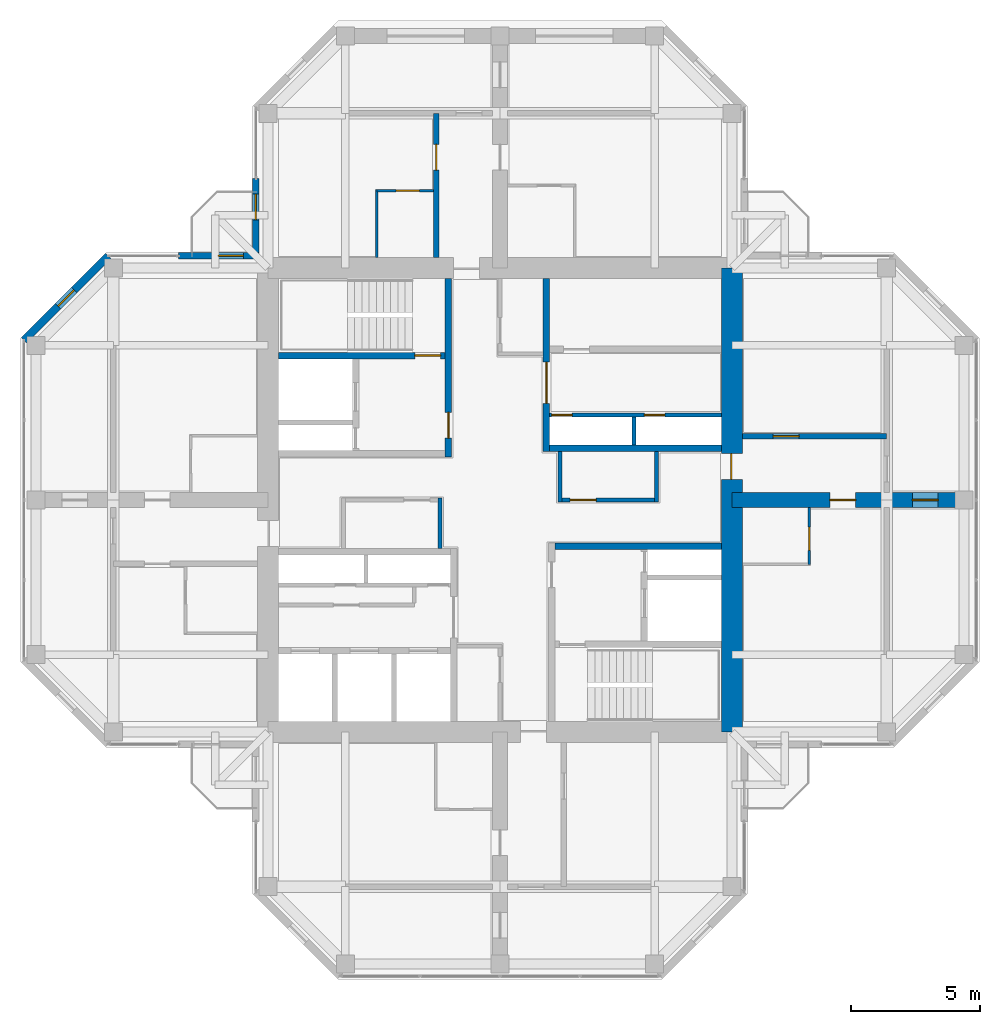
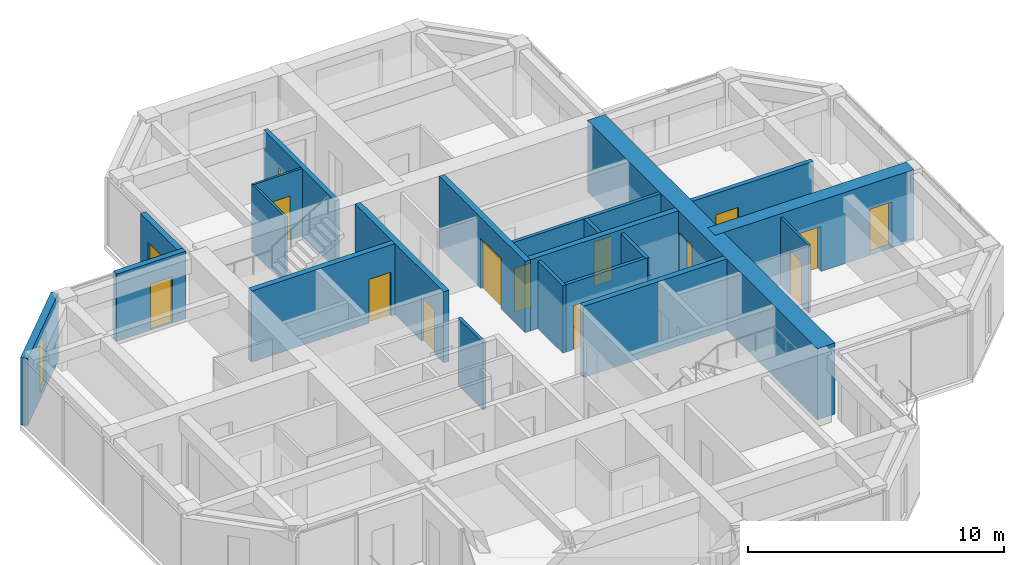
# One storey, part 10 of 13: 21 walls, 15 doors, 1 window, 16 openings.
"""IFC4 building model written with IfcOpenShell, lengths in metres."""

from ifc_helpers import new_model, si_unit, direction, frame, frame_2d, origin, place, context, subcontext, project, spatial, rectangle, hollow_rectangle, extrude, material, layer, layer_set, constituent, constituent_set, type_object, element, fill, save


model = new_model("IFC4")

# Units and contexts
model_context = context("Model", 3, precision=1e-05, world=origin(), true_north=direction((0.0, 1.0)))
body_context = subcontext(model_context, "Body", "Model", "MODEL_VIEW")
ifc_project = project(units=[si_unit("LENGTHUNIT", "METRE"), si_unit("AREAUNIT", "SQUARE_METRE"), si_unit("VOLUMEUNIT", "CUBIC_METRE"), si_unit("PLANEANGLEUNIT", "RADIAN"), si_unit("MASSUNIT", "GRAM", prefix="KILO")], contexts=[model_context])

# Site, building, storey
site_placement = place(None, origin())
site = spatial("IfcSite", under=ifc_project, at=site_placement, CompositionType="ELEMENT")
building_placement = place(site_placement, origin())
building = spatial("IfcBuilding", under=site, at=building_placement, Name="Torre Cruceta", CompositionType="ELEMENT")
storey_placement = place(building_placement, frame((0.0, 0.0, 274.699951171875)))
storey = spatial("IfcBuildingStorey", under=building, at=storey_placement, Name="L71", CompositionType="ELEMENT", Elevation=274.699951171875)

# Wall
ifc_material_1 = material(Name="Water-resistant plasterboard on steel studs", Category="steel")
ifc_layer_1 = layer(ifc_material_1, 0.10009765625)
ifc_layer_set_1 = layer_set([ifc_layer_1], Name="Water-resistant plasterboard on steel studs")
wall_type_1 = type_object("IfcWallType", Name="BATHROOM WALL 100", PredefinedType="PARTITIONING", material=ifc_layer_set_1)
wall_1_placement = place(storey_placement, frame((-4.77490234375, 9.39990234375, 0.0), z_axis=(0.0, 0.0, 1.0), x_axis=(0.0, 1.0, 0.0)))
element("IfcWall", 1, at=wall_1_placement, inside=storey, type_object=wall_type_1, Name="PT4 L71-N-U1LBB", PredefinedType="PARTITIONING", context=body_context, shape_type="SweptSolid", body=[
    extrude(rectangle(XDim=2.650146484375, YDim=0.10009765625, at=frame_2d((1.3251953125, 0.0))), origin(), (0.0, 0.0, 1.0), 3.219970703125),
])

# Wall, opening, door
wall_2_placement = place(storey_placement, frame((-2.574951171875, 12.0, 0.0), z_axis=(0.0, 0.0, 1.0), x_axis=(-1.0, 0.0, 0.0)))
wall_2 = element("IfcWall", 2, at=wall_2_placement, inside=storey, type_object=wall_type_1, Name="PT4 L71-N-U1LBS", PredefinedType="PARTITIONING", context=body_context, shape_type="SweptSolid", body=[
    extrude(rectangle(XDim=2.199951171875, YDim=0.10009765625, at=frame_2d((1.10009765625, 0.0))), origin(), (0.0, 0.0, 1.0), 3.219970703125),
])
opening_1_placement = place(wall_2_placement, frame((0.550048828125, 0.0, 0.0)))
opening_1 = element("IfcOpeningElement", 3, at=opening_1_placement, cuts=wall_2, Name="Opening D7", PredefinedType="OPENING", context=body_context, shape_type="SweptSolid", body=[
    extrude(rectangle(XDim=0.89990234375, YDim=2.10009765625, at=frame_2d((0.449951171875, 1.050048828125))), frame((0.0, 0.06005859375, 0.0), z_axis=(0.0, -1.0, 0.0), x_axis=(1.0, 0.0, 0.0)), (0.0, 0.0, 1.0), 0.1201171875),
])
ifc_material_2 = material(Name="Timber door", Category="wood")
door_type_1 = type_object("IfcDoorType", Name="BATHROOM DOOR 900X2100", OperationType="SINGLE_SWING_LEFT", PredefinedType="DOOR", material=ifc_material_2)
door_1_placement = place(opening_1_placement, origin())
door_1 = element("IfcDoor", 4, at=door_1_placement, inside=storey, type_object=door_type_1, Name="D7 L71-N-U1LBS-D1", OperationType="SINGLE_SWING_LEFT", OverallHeight=2.10009765625, OverallWidth=0.89990234375, PredefinedType="DOOR", context=body_context, shape_type="SweptSolid", body=[
    extrude(rectangle(XDim=0.89990234375, YDim=2.10009765625, at=frame_2d((0.449951171875, 1.050048828125))), frame((0.0, 0.02490234375, 0.0), z_axis=(0.0, -1.0, 0.0), x_axis=(1.0, 0.0, 0.0)), (0.0, 0.0, 1.0), 0.050048828125),
])
fill(opening_1, door_1)

wall_3_placement = place(storey_placement, frame((12.0, -2.5, 0.0), z_axis=(0.0, 0.0, 1.0), x_axis=(0.0, 1.0, 0.0)))
wall_3 = element("IfcWall", 5, at=wall_3_placement, inside=storey, type_object=wall_type_1, Name="PT4 L71-E-U1RBS", PredefinedType="PARTITIONING", context=body_context, shape_type="SweptSolid", body=[
    extrude(rectangle(XDim=2.199951171875, YDim=0.10009765625, at=frame_2d((1.10009765625, 0.0))), origin(), (0.0, 0.0, 1.0), 3.219970703125),
])
opening_2_placement = place(wall_3_placement, frame((0.550048828125, 0.0, 0.0)))
opening_2 = element("IfcOpeningElement", 6, at=opening_2_placement, cuts=wall_3, Name="Opening D7", PredefinedType="OPENING", context=body_context, shape_type="SweptSolid", body=[
    extrude(rectangle(XDim=0.89990234375, YDim=2.10009765625, at=frame_2d((0.449951171875, 1.050048828125))), frame((0.0, 0.06005859375, 0.0), z_axis=(0.0, -1.0, 0.0), x_axis=(1.0, 0.0, 0.0)), (0.0, 0.0, 1.0), 0.1201171875),
])
door_2_placement = place(opening_2_placement, origin())
door_2 = element("IfcDoor", 7, at=door_2_placement, inside=storey, type_object=door_type_1, Name="D7 L71-E-U1RBS-D1", OperationType="SINGLE_SWING_LEFT", OverallHeight=2.10009765625, OverallWidth=0.89990234375, PredefinedType="DOOR", context=body_context, shape_type="SweptSolid", body=[
    extrude(rectangle(XDim=0.89990234375, YDim=2.10009765625, at=frame_2d((0.449951171875, 1.050048828125))), frame((0.0, 0.02490234375, 0.0), z_axis=(0.0, -1.0, 0.0), x_axis=(1.0, 0.0, 0.0)), (0.0, 0.0, 1.0), 0.050048828125),
])
fill(opening_2, door_2)

ifc_material_3 = material(Name="Concrete G60 (fck 60 MPa)", Category="concrete")
ifc_layer_2 = layer(ifc_material_3, 0.25)
ifc_layer_set_2 = layer_set([ifc_layer_2], Name="Concrete G60 (fck 60 MPa)")
wall_type_2 = type_object("IfcWallType", Name="CORE INNER WALL 250 G60", PredefinedType="SHEAR", material=ifc_layer_set_2)
wall_4_placement = place(storey_placement, frame((1.800048828125, 1.875, 0.0), z_axis=(0.0, 0.0, 1.0), x_axis=(0.0, 1.0, 0.0)))
wall_4 = element("IfcWall", 8, at=wall_4_placement, inside=storey, type_object=wall_type_2, Name="CW4 L71 NE-CU", PredefinedType="SHEAR", context=body_context, shape_type="SweptSolid", body=[
    extrude(rectangle(XDim=6.72509765625, YDim=0.25, at=frame_2d((3.362548828125, 0.0))), origin(), (0.0, 0.0, 1.0), 3.400146484375),
])
opening_3_placement = place(wall_4_placement, frame((1.875, 0.0, 0.0)))
opening_3 = element("IfcOpeningElement", 9, at=opening_3_placement, cuts=wall_4, Name="Opening D15", PredefinedType="OPENING", context=body_context, shape_type="SweptSolid", body=[
    extrude(rectangle(XDim=1.60009765625, YDim=2.39990234375, at=frame_2d((0.800048828125, 1.199951171875))), frame((0.0, 0.135009765625, 0.0), z_axis=(0.0, -1.0, 0.0), x_axis=(1.0, 0.0, 0.0)), (0.0, 0.0, 1.0), 0.27001953125),
])
ifc_material_4 = material(Name="Steel DX51D", Category="steel")
ifc_constituent_1 = constituent(ifc_material_4, Name="Leaf and frame")
ifc_material_5 = material(Name="Polyester powder coating", Category="paint")
ifc_constituent_2 = constituent(ifc_material_5, Name="Finish")
ifc_constituent_set_1 = constituent_set(constituents=[ifc_constituent_1, ifc_constituent_2], Name="Steel fire door")
door_type_2 = type_object("IfcDoorType", Name="CORE ROOM DOUBLE DOOR 1600X2400", OperationType="DOUBLE_DOOR_SINGLE_SWING", PredefinedType="DOOR", material=ifc_constituent_set_1)
door_3_placement = place(opening_3_placement, frame((1.60009765625, 0.0, 0.0), z_axis=(0.0, 0.0, 1.0), x_axis=(-1.0, 0.0, 0.0)))
door_3 = element("IfcDoor", 10, at=door_3_placement, inside=storey, type_object=door_type_2, Name="D15 L71 NE-LOBBY", OperationType="DOUBLE_DOOR_SINGLE_SWING", OverallHeight=2.39990234375, OverallWidth=1.60009765625, PredefinedType="DOOR", context=body_context, shape_type="SweptSolid", body=[
    extrude(rectangle(XDim=1.60009765625, YDim=2.39990234375, at=frame_2d((0.800048828125, 1.199951171875))), frame((0.0, 0.025146484375, 0.0), z_axis=(0.0, -1.0, 0.0), x_axis=(1.0, 0.0, 0.0)), (0.0, 0.0, 1.0), 0.050048828125),
])
fill(opening_3, door_3)

# Wall
wall_5_placement = place(storey_placement, frame((1.925048828125, 2.0, 0.0), z_axis=(0.0, 0.0, 1.0), x_axis=(1.0, 0.0, 0.0)))
element("IfcWall", 11, at=wall_5_placement, inside=storey, type_object=wall_type_2, Name="CW4 L71 NE-CV", PredefinedType="SHEAR", context=body_context, shape_type="SweptSolid", body=[
    extrude(rectangle(XDim=6.675048828125, YDim=0.25, at=frame_2d((3.33740234375, 0.0))), origin(), (0.0, 0.0, 1.0), 3.400146484375),
])

# Wall, opening, door
wall_6_placement = place(storey_placement, frame((-2.0, 1.675048828125, 0.0), z_axis=(0.0, 0.0, 1.0), x_axis=(0.0, 1.0, 0.0)))
wall_6 = element("IfcWall", 12, at=wall_6_placement, inside=storey, type_object=wall_type_2, Name="CW4 L71 NW-CU", PredefinedType="SHEAR", context=body_context, shape_type="SweptSolid", body=[
    extrude(rectangle(XDim=6.925048828125, YDim=0.25, at=frame_2d((3.46240234375, 0.0))), origin(), (0.0, 0.0, 1.0), 3.400146484375),
])
opening_4_placement = place(wall_6_placement, frame((0.72509765625, 0.0, 0.0)))
opening_4 = element("IfcOpeningElement", 13, at=opening_4_placement, cuts=wall_6, Name="Opening D3", PredefinedType="OPENING", context=body_context, shape_type="SweptSolid", body=[
    extrude(rectangle(XDim=1.0, YDim=2.10009765625, at=frame_2d((0.5, 1.050048828125))), frame((0.0, 0.135009765625, 0.0), z_axis=(0.0, -1.0, 0.0), x_axis=(1.0, 0.0, 0.0)), (0.0, 0.0, 1.0), 0.27001953125),
])
ifc_material_6 = material(Name="Steel DX51D", Category="steel")
ifc_constituent_3 = constituent(ifc_material_6, Name="Leaf and frame")
ifc_material_7 = material(Name="Polyester powder coating", Category="paint")
ifc_constituent_4 = constituent(ifc_material_7, Name="Finish")
ifc_constituent_set_2 = constituent_set(constituents=[ifc_constituent_3, ifc_constituent_4], Name="Steel fire door")
door_type_3 = type_object("IfcDoorType", Name="FIRE DOOR 1000X2100", OperationType="SINGLE_SWING_LEFT", PredefinedType="DOOR", material=ifc_constituent_set_2)
door_4_placement = place(opening_4_placement, origin())
door_4 = element("IfcDoor", 14, at=door_4_placement, inside=storey, type_object=door_type_3, Name="D3 L71 NW-LOBBY", OperationType="SINGLE_SWING_LEFT", OverallHeight=2.10009765625, OverallWidth=1.0, PredefinedType="DOOR", context=body_context, shape_type="SweptSolid", body=[
    extrude(rectangle(XDim=1.0, YDim=2.10009765625, at=frame_2d((0.5, 1.050048828125))), frame((0.0, 0.02490234375, 0.0), z_axis=(0.0, -1.0, 0.0), x_axis=(1.0, 0.0, 0.0)), (0.0, 0.0, 1.0), 0.050048828125),
])
fill(opening_4, door_4)

wall_7_placement = place(storey_placement, frame((-2.125, 5.60009765625, 0.0), z_axis=(0.0, 0.0, 1.0), x_axis=(-1.0, 0.0, 0.0)))
wall_7 = element("IfcWall", 15, at=wall_7_placement, inside=storey, type_object=wall_type_2, Name="CW4 L71 NW-SV", PredefinedType="SHEAR", context=body_context, shape_type="SweptSolid", body=[
    extrude(rectangle(XDim=6.47509765625, YDim=0.25, at=frame_2d((3.237548828125, 0.0))), origin(), (0.0, 0.0, 1.0), 3.400146484375),
])
opening_5_placement = place(wall_7_placement, frame((0.175048828125, 0.0, 0.0)))
opening_5 = element("IfcOpeningElement", 16, at=opening_5_placement, cuts=wall_7, Name="Opening D3", PredefinedType="OPENING", context=body_context, shape_type="SweptSolid", body=[
    extrude(rectangle(XDim=1.0, YDim=2.10009765625, at=frame_2d((0.5, 1.050048828125))), frame((0.0, 0.135009765625, 0.0), z_axis=(0.0, -1.0, 0.0), x_axis=(1.0, 0.0, 0.0)), (0.0, 0.0, 1.0), 0.27001953125),
])
door_5_placement = place(opening_5_placement, frame((1.0, 0.0, 0.0), z_axis=(0.0, 0.0, 1.0), x_axis=(-1.0, 0.0, 0.0)))
door_5 = element("IfcDoor", 17, at=door_5_placement, inside=storey, type_object=door_type_3, Name="D3 L71 NW-STAIR", OperationType="SINGLE_SWING_RIGHT", OverallHeight=2.10009765625, OverallWidth=1.0, PredefinedType="DOOR", context=body_context, shape_type="SweptSolid", body=[
    extrude(rectangle(XDim=1.0, YDim=2.10009765625, at=frame_2d((0.5, 1.050048828125))), frame((0.0, 0.025146484375, 0.0), z_axis=(0.0, -1.0, 0.0), x_axis=(1.0, 0.0, 0.0)), (0.0, 0.0, 1.0), 0.050048828125),
])
fill(opening_5, door_5)

# Wall
wall_8_placement = place(storey_placement, frame((2.125, -1.800048828125, 0.0), z_axis=(0.0, 0.0, 1.0), x_axis=(1.0, 0.0, 0.0)))
element("IfcWall", 18, at=wall_8_placement, inside=storey, type_object=wall_type_2, Name="CW4 L71 SE-CV", PredefinedType="SHEAR", context=body_context, shape_type="SweptSolid", body=[
    extrude(rectangle(XDim=6.47509765625, YDim=0.25, at=frame_2d((3.237548828125, 0.0))), origin(), (0.0, 0.0, 1.0), 3.400146484375),
])

# Wall, opening, door
ifc_material_8 = material(Name="Concrete G60 (fck 60 MPa)", Category="concrete")
ifc_layer_3 = layer(ifc_material_8, 0.800048828125)
ifc_layer_set_3 = layer_set([ifc_layer_3], Name="Concrete G60 (fck 60 MPa)")
wall_type_3 = type_object("IfcWallType", Name="CORE WALL 800 G60", PredefinedType="SHEAR", material=ifc_layer_set_3)
wall_9_placement = place(storey_placement, frame((9.0, -9.0, 0.0), z_axis=(0.0, 0.0, 1.0), x_axis=(0.0, 1.0, 0.0)))
wall_9 = element("IfcWall", 19, at=wall_9_placement, inside=storey, type_object=wall_type_3, Name="CW3 L71 CW-E", PredefinedType="SHEAR", context=body_context, shape_type="SweptSolid", body=[
    extrude(rectangle(XDim=18.0, YDim=0.800048828125, at=frame_2d((9.0, 0.0))), origin(), (0.0, 0.0, 1.0), 3.400146484375),
])
opening_6_placement = place(wall_9_placement, frame((9.800048828125, 0.0, 0.0)))
opening_6 = element("IfcOpeningElement", 20, at=opening_6_placement, cuts=wall_9, Name="Opening D4", PredefinedType="OPENING", context=body_context, shape_type="SweptSolid", body=[
    extrude(rectangle(XDim=1.0, YDim=2.39990234375, at=frame_2d((0.5, 1.199951171875))), frame((0.0, 0.409912109375, 0.0), z_axis=(0.0, -1.0, 0.0), x_axis=(1.0, 0.0, 0.0)), (0.0, 0.0, 1.0), 0.820068359375),
])
ifc_material_9 = material(Name="Steel DX51D", Category="steel")
ifc_constituent_5 = constituent(ifc_material_9, Name="Leaf and frame")
ifc_material_10 = material(Name="Polyester powder coating", Category="paint")
ifc_constituent_6 = constituent(ifc_material_10, Name="Finish")
ifc_constituent_set_3 = constituent_set(constituents=[ifc_constituent_5, ifc_constituent_6], Name="Steel fire door")
door_type_4 = type_object("IfcDoorType", Name="CORE ARM DOOR 1000X2400", OperationType="SINGLE_SWING_RIGHT", PredefinedType="DOOR", material=ifc_constituent_set_3)
door_6_placement = place(opening_6_placement, origin())
door_6 = element("IfcDoor", 21, at=door_6_placement, inside=storey, type_object=door_type_4, Name="D4 L71 CW-E", OperationType="SINGLE_SWING_RIGHT", OverallHeight=2.39990234375, OverallWidth=1.0, PredefinedType="DOOR", context=body_context, shape_type="SweptSolid", body=[
    extrude(rectangle(XDim=1.0, YDim=2.39990234375, at=frame_2d((0.5, 1.199951171875))), frame((0.0, 0.05517578125, 0.0), z_axis=(0.0, -1.0, 0.0), x_axis=(1.0, 0.0, 0.0)), (0.0, 0.0, 1.0), 0.050048828125),
])
fill(opening_6, door_6)

ifc_material_11 = material(Name="Concrete G25 (fck 25 MPa)", Category="concrete")
ifc_layer_4 = layer(ifc_material_11, 0.199951171875)
ifc_layer_set_4 = layer_set([ifc_layer_4], Name="Concrete G25 (fck 25 MPa)")
wall_type_4 = type_object("IfcWallType", Name="CORRIDOR WALL 200", PredefinedType="SOLIDWALL", material=ifc_layer_set_4)
wall_10_placement = place(storey_placement, frame((-2.47509765625, 9.39990234375, 0.0), z_axis=(0.0, 0.0, 1.0), x_axis=(0.0, 1.0, 0.0)))
wall_10 = element("IfcWall", 22, at=wall_10_placement, inside=storey, type_object=wall_type_4, Name="PT3 L71-N-CL", PredefinedType="SOLIDWALL", context=body_context, shape_type="SweptSolid", body=[
    extrude(rectangle(XDim=5.60009765625, YDim=0.199951171875, at=frame_2d((2.800048828125, 0.0))), origin(), (0.0, 0.0, 1.0), 3.219970703125),
])
opening_7_placement = place(wall_10_placement, frame((3.39990234375, 0.0, 0.0)))
opening_7 = element("IfcOpeningElement", 23, at=opening_7_placement, cuts=wall_10, Name="Opening D6", PredefinedType="OPENING", context=body_context, shape_type="SweptSolid", body=[
    extrude(rectangle(XDim=1.0, YDim=2.14990234375, at=frame_2d((0.5, 1.074951171875))), frame((0.0, 0.10986328125, 0.0), z_axis=(0.0, -1.0, 0.0), x_axis=(1.0, 0.0, 0.0)), (0.0, 0.0, 1.0), 0.219970703125),
])
ifc_material_12 = material(Name="Timber fire door", Category="wood")
door_type_5 = type_object("IfcDoorType", Name="UNIT ENTRANCE DOOR 1000X2150", OperationType="SINGLE_SWING_LEFT", PredefinedType="DOOR", material=ifc_material_12)
door_7_placement = place(opening_7_placement, origin())
door_7 = element("IfcDoor", 24, at=door_7_placement, inside=storey, type_object=door_type_5, Name="D6 L71-N-CL-D1", OperationType="SINGLE_SWING_LEFT", OverallHeight=2.14990234375, OverallWidth=1.0, PredefinedType="DOOR", context=body_context, shape_type="SweptSolid", body=[
    extrude(rectangle(XDim=1.0, YDim=2.14990234375, at=frame_2d((0.5, 1.074951171875))), frame((0.0, 0.02490234375, 0.0), z_axis=(0.0, -1.0, 0.0), x_axis=(1.0, 0.0, 0.0)), (0.0, 0.0, 1.0), 0.050048828125),
])
fill(opening_7, door_7)

wall_11_placement = place(storey_placement, frame((9.39990234375, 2.47509765625, 0.0), z_axis=(0.0, 0.0, 1.0), x_axis=(1.0, 0.0, 0.0)))
wall_11 = element("IfcWall", 25, at=wall_11_placement, inside=storey, type_object=wall_type_4, Name="PT3 L71-E-CL", PredefinedType="SOLIDWALL", context=body_context, shape_type="SweptSolid", body=[
    extrude(rectangle(XDim=5.60009765625, YDim=0.199951171875, at=frame_2d((2.800048828125, 0.0))), origin(), (0.0, 0.0, 1.0), 3.219970703125),
])
opening_8_placement = place(wall_11_placement, frame((1.199951171875, 0.0, 0.0)))
opening_8 = element("IfcOpeningElement", 26, at=opening_8_placement, cuts=wall_11, Name="Opening D14", PredefinedType="OPENING", context=body_context, shape_type="SweptSolid", body=[
    extrude(rectangle(XDim=1.0, YDim=2.199951171875, at=frame_2d((0.5, 1.10009765625))), frame((0.0, 0.10986328125, 0.0), z_axis=(0.0, -1.0, 0.0), x_axis=(1.0, 0.0, 0.0)), (0.0, 0.0, 1.0), 0.219970703125),
])
ifc_material_13 = material(Name="Steel DX51D", Category="steel")
ifc_constituent_7 = constituent(ifc_material_13, Name="Leaf and frame")
ifc_material_14 = material(Name="Polyester powder coating", Category="paint")
ifc_constituent_8 = constituent(ifc_material_14, Name="Finish")
ifc_material_15 = material(Name="Fire-resisting glass", Category="glass")
ifc_constituent_9 = constituent(ifc_material_15, Name="Vision panel")
ifc_constituent_set_4 = constituent_set(constituents=[ifc_constituent_7, ifc_constituent_8, ifc_constituent_9], Name="Steel fire door with vision panel")
door_type_6 = type_object("IfcDoorType", Name="FIRE DOOR VISION PANEL 1000X2200", OperationType="SINGLE_SWING_RIGHT", PredefinedType="DOOR", material=ifc_constituent_set_4)
door_8_placement = place(opening_8_placement, origin())
door_8 = element("IfcDoor", 27, at=door_8_placement, inside=storey, type_object=door_type_6, Name="D14 L71-E-CL-D1", OperationType="SINGLE_SWING_LEFT", OverallHeight=2.199951171875, OverallWidth=1.0, PredefinedType="DOOR", context=body_context, shape_type="SweptSolid", body=[
    extrude(rectangle(XDim=1.0, YDim=2.199951171875, at=frame_2d((0.5, 1.10009765625))), frame((0.0, 0.02490234375, 0.0), z_axis=(0.0, -1.0, 0.0), x_axis=(1.0, 0.0, 0.0)), (0.0, 0.0, 1.0), 0.050048828125),
])
fill(opening_8, door_8)

# Wall, opening, window
ifc_material_16 = material(Name="Concrete G30 (fck 30 MPa)", Category="concrete")
ifc_layer_5 = layer(ifc_material_16, 0.300048828125)
ifc_layer_set_5 = layer_set([ifc_layer_5], Name="Concrete G30 (fck 30 MPa)")
wall_type_5 = type_object("IfcWallType", Name="EXPOSED CONCRETE FACADE WALL 300", PredefinedType="SOLIDWALL", material=ifc_layer_set_5)
wall_12_placement = place(storey_placement, frame((-15.194580078125, 9.469970703125, 0.0), z_axis=(0.0, 0.0, 1.0), x_axis=(-0.707106781187, -0.707106781187, 0.0)))
wall_12 = element("IfcWall", 28, at=wall_12_placement, inside=storey, type_object=wall_type_5, Name="EW1 facade wall L71 W chamfer 11", PredefinedType="SOLIDWALL", context=body_context, shape_type="SweptSolid", body=[
    extrude(rectangle(XDim=4.632080078125, YDim=0.300048828125, at=frame_2d((2.31591796875, 0.0))), origin(), (0.0, 0.0, 1.0), 3.219970703125),
])
opening_9_placement = place(wall_12_placement, frame((1.865966796875, 0.0, 0.300048828125)))
opening_9 = element("IfcOpeningElement", 29, at=opening_9_placement, cuts=wall_12, Name="Opening WN5", PredefinedType="OPENING", context=body_context, shape_type="SweptSolid", body=[
    extrude(rectangle(XDim=0.89990234375, YDim=2.39990234375, at=frame_2d((0.449951171875, 1.199951171875))), frame((0.0, 0.159912109375, 0.0), z_axis=(0.0, -1.0, 0.0), x_axis=(1.0, 0.0, 0.0)), (0.0, 0.0, 1.0), 0.320068359375),
])
ifc_material_17 = material(Name="Aluminium window frame", Category="aluminium")
ifc_constituent_10 = constituent(ifc_material_17, Name="Frame")
ifc_material_18 = material(Name="Laminated insulating glass unit, low-iron clear", Category="glass")
ifc_constituent_11 = constituent(ifc_material_18, Name="Glazing")
ifc_constituent_set_5 = constituent_set(constituents=[ifc_constituent_10, ifc_constituent_11], Name="Aluminium window")
window_type = type_object("IfcWindowType", Name="CHAMFER SLOT WINDOW 900X2400", PartitioningType="SINGLE_PANEL", PredefinedType="WINDOW", material=ifc_constituent_set_5)
window_placement = place(opening_9_placement, origin())
window = element("IfcWindow", 30, at=window_placement, inside=storey, type_object=window_type, Name="WN5 L71 W 1", OverallHeight=2.39990234375, OverallWidth=0.89990234375, PartitioningType="SINGLE_PANEL", PredefinedType="WINDOW", context=body_context, shape_type="SweptSolid", body=[
    extrude(hollow_rectangle(XDim=0.89990234375, YDim=2.39990234375, WallThickness=0.06005859375, at=frame_2d((0.449951171875, 1.199951171875))), frame((0.0, 0.030029296875, 0.0), z_axis=(0.0, -1.0, 0.0), x_axis=(1.0, 0.0, 0.0)), (0.0, 0.0, 1.0), 0.06005859375),
    extrude(rectangle(XDim=0.77880859375, YDim=2.27880859375, at=frame_2d((0.449951171875, 1.199951171875))), frame((0.0, 0.030029296875, 0.0), z_axis=(0.0, -1.0, 0.0), x_axis=(1.0, 0.0, 0.0)), (0.0, 0.0, 1.0), 0.06005859375),
])
fill(opening_9, window)

# Wall, opening, door
ifc_material_19 = material(Name="Plasterboard on steel studs", Category="steel")
ifc_layer_6 = layer(ifc_material_19, 0.14990234375)
ifc_layer_set_6 = layer_set([ifc_layer_6], Name="Plasterboard on steel studs")
wall_type_6 = type_object("IfcWallType", Name="PARTITION 150", PredefinedType="PARTITIONING", material=ifc_layer_set_6)
wall_13_placement = place(storey_placement, frame((2.324951171875, 0.0, 0.0), z_axis=(0.0, 0.0, 1.0), x_axis=(1.0, 0.0, 0.0)))
wall_13 = element("IfcWall", 31, at=wall_13_placement, inside=storey, type_object=wall_type_6, Name="PT1 L71-CORE-LEGE-N-W1", PredefinedType="PARTITIONING", context=body_context, shape_type="SweptSolid", body=[
    extrude(rectangle(XDim=3.75, YDim=0.14990234375, at=frame_2d((1.875, 0.0))), origin(), (0.0, 0.0, 1.0), 3.219970703125),
])
opening_10_placement = place(wall_13_placement, frame((0.39990234375, 0.0, 0.0)))
opening_10 = element("IfcOpeningElement", 32, at=opening_10_placement, cuts=wall_13, Name="Opening D3", PredefinedType="OPENING", context=body_context, shape_type="SweptSolid", body=[
    extrude(rectangle(XDim=1.0, YDim=2.10009765625, at=frame_2d((0.5, 1.050048828125))), frame((0.0, 0.0849609375, 0.0), z_axis=(0.0, -1.0, 0.0), x_axis=(1.0, 0.0, 0.0)), (0.0, 0.0, 1.0), 0.169921875),
])
door_9_placement = place(opening_10_placement, origin())
door_9 = element("IfcDoor", 33, at=door_9_placement, inside=storey, type_object=door_type_3, Name="D3 L71-CORE-LEGE-N-W1-D1", OperationType="SINGLE_SWING_LEFT", OverallHeight=2.10009765625, OverallWidth=1.0, PredefinedType="DOOR", context=body_context, shape_type="SweptSolid", body=[
    extrude(rectangle(XDim=1.0, YDim=2.10009765625, at=frame_2d((0.5, 1.050048828125))), frame((0.0, 0.02490234375, 0.0), z_axis=(0.0, -1.0, 0.0), x_axis=(1.0, 0.0, 0.0)), (0.0, 0.0, 1.0), 0.050048828125),
])
fill(opening_10, door_9)

# Walls
for number, where, z_axis, x_axis, name in (
    (34, (2.324951171875, 1.875, 0.0), (0.0, 0.0, 1.0), (0.0, -1.0, 0.0), "PT1 L71-CORE-LEGE-N-W2"),
    (35, (6.074951171875, -0.074951171875, 0.0), (0.0, 0.0, 1.0), (0.0, 1.0, 0.0), "PT1 L71-CORE-LEGE-N-W3"),
    (36, (-2.324951171875, -1.875, 0.0), (0.0, 0.0, 1.0), (0.0, 1.0, 0.0), "PT1 L71-CORE-LEGW-S-W2"),
):
    element("IfcWall", number, at=place(storey_placement, frame(where, z_axis=z_axis, x_axis=x_axis)), inside=storey, type_object=wall_type_6, Name=name, PredefinedType="PARTITIONING", context=body_context, shape_type="SweptSolid", body=[
        extrude(rectangle(XDim=1.949951171875, YDim=0.14990234375, at=frame_2d((0.97509765625, 0.0))), origin(), (0.0, 0.0, 1.0), 3.219970703125),
    ])

# Wall, openings, doors
ifc_material_20 = material(Name="Concrete block masonry", Category="masonry")
ifc_layer_7 = layer(ifc_material_20, 0.14990234375)
ifc_layer_set_7 = layer_set([ifc_layer_7], Name="Concrete block masonry")
wall_type_7 = type_object("IfcWallType", Name="RISER WALL 150", PredefinedType="PARTITIONING", material=ifc_layer_set_7)
wall_14_placement = place(storey_placement, frame((1.925048828125, 3.300048828125, 0.0), z_axis=(0.0, 0.0, 1.0), x_axis=(1.0, 0.0, 0.0)))
wall_14 = element("IfcWall", 37, at=wall_14_placement, inside=storey, type_object=wall_type_7, Name="SW7 L71 NE-RV", PredefinedType="PARTITIONING", context=body_context, shape_type="SweptSolid", body=[
    extrude(rectangle(XDim=6.675048828125, YDim=0.14990234375, at=frame_2d((3.33740234375, 0.0))), origin(), (0.0, 0.0, 1.0), 3.400146484375),
])
opening_11_placement = place(wall_14_placement, frame((0.074951171875, 0.0, 0.0)))
opening_11 = element("IfcOpeningElement", 38, at=opening_11_placement, cuts=wall_14, Name="Opening D5", PredefinedType="OPENING", context=body_context, shape_type="SweptSolid", body=[
    extrude(rectangle(XDim=0.800048828125, YDim=2.10009765625, at=frame_2d((0.39990234375, 1.050048828125))), frame((0.0, 0.0849609375, 0.0), z_axis=(0.0, -1.0, 0.0), x_axis=(1.0, 0.0, 0.0)), (0.0, 0.0, 1.0), 0.169921875),
])
opening_12_placement = place(wall_14_placement, frame((3.675048828125, 0.0, 0.0)))
opening_12 = element("IfcOpeningElement", 39, at=opening_12_placement, cuts=wall_14, Name="Opening D5", PredefinedType="OPENING", context=body_context, shape_type="SweptSolid", body=[
    extrude(rectangle(XDim=0.800048828125, YDim=2.10009765625, at=frame_2d((0.39990234375, 1.050048828125))), frame((0.0, 0.0849609375, 0.0), z_axis=(0.0, -1.0, 0.0), x_axis=(1.0, 0.0, 0.0)), (0.0, 0.0, 1.0), 0.169921875),
])
ifc_material_21 = material(Name="Steel DX51D", Category="steel")
ifc_constituent_12 = constituent(ifc_material_21, Name="Leaf and frame")
ifc_material_22 = material(Name="Polyester powder coating", Category="paint")
ifc_constituent_13 = constituent(ifc_material_22, Name="Finish")
ifc_constituent_set_6 = constituent_set(constituents=[ifc_constituent_12, ifc_constituent_13], Name="Steel fire door")
door_type_7 = type_object("IfcDoorType", Name="RISER ACCESS DOOR 800X2100", OperationType="SINGLE_SWING_LEFT", PredefinedType="DOOR", material=ifc_constituent_set_6)
door_10_placement = place(opening_11_placement, frame((0.800048828125, 0.0, 0.0), z_axis=(0.0, 0.0, 1.0), x_axis=(-1.0, 0.0, 0.0)))
door_10 = element("IfcDoor", 40, at=door_10_placement, inside=storey, type_object=door_type_7, Name="D5 L71 NE-RISER1", OperationType="SINGLE_SWING_RIGHT", OverallHeight=2.10009765625, OverallWidth=0.800048828125, PredefinedType="DOOR", context=body_context, shape_type="SweptSolid", body=[
    extrude(rectangle(XDim=0.800048828125, YDim=2.10009765625, at=frame_2d((0.400146484375, 1.050048828125))), frame((0.0, 0.025146484375, 0.0), z_axis=(0.0, -1.0, 0.0), x_axis=(1.0, 0.0, 0.0)), (0.0, 0.0, 1.0), 0.050048828125),
])
fill(opening_11, door_10)
door_11_placement = place(opening_12_placement, frame((0.800048828125, 0.0, 0.0), z_axis=(0.0, 0.0, 1.0), x_axis=(-1.0, 0.0, 0.0)))
door_11 = element("IfcDoor", 41, at=door_11_placement, inside=storey, type_object=door_type_7, Name="D5 L71 NE-RISER2", OperationType="SINGLE_SWING_RIGHT", OverallHeight=2.10009765625, OverallWidth=0.800048828125, PredefinedType="DOOR", context=body_context, shape_type="SweptSolid", body=[
    extrude(rectangle(XDim=0.800048828125, YDim=2.10009765625, at=frame_2d((0.400146484375, 1.050048828125))), frame((0.0, 0.025146484375, 0.0), z_axis=(0.0, -1.0, 0.0), x_axis=(1.0, 0.0, 0.0)), (0.0, 0.0, 1.0), 0.050048828125),
])
fill(opening_12, door_11)

# Wall
wall_15_placement = place(storey_placement, frame((5.199951171875, 2.125, 0.0), z_axis=(0.0, 0.0, 1.0), x_axis=(0.0, 1.0, 0.0)))
element("IfcWall", 42, at=wall_15_placement, inside=storey, type_object=wall_type_7, Name="SW7 L71 NE-RU", PredefinedType="PARTITIONING", context=body_context, shape_type="SweptSolid", body=[
    extrude(rectangle(XDim=1.10009765625, YDim=0.14990234375, at=frame_2d((0.550048828125, 0.0))), origin(), (0.0, 0.0, 1.0), 3.400146484375),
])

# Wall, openings, doors
ifc_material_23 = material(Name="Concrete G60 (fck 60 MPa)", Category="concrete")
ifc_layer_8 = layer(ifc_material_23, 0.60009765625)
ifc_layer_set_8 = layer_set([ifc_layer_8], Name="Concrete G60 (fck 60 MPa)")
wall_type_8 = type_object("IfcWallType", Name="SPINE WALL 600 G60", PredefinedType="SHEAR", material=ifc_layer_set_8)
wall_16_placement = place(storey_placement, frame((9.0, 0.0, 0.0), z_axis=(0.0, 0.0, 1.0), x_axis=(1.0, 0.0, 0.0)))
wall_16 = element("IfcWall", 43, at=wall_16_placement, inside=storey, type_object=wall_type_8, Name="SW5 spine wall L71 E", PredefinedType="SHEAR", context=body_context, shape_type="SweptSolid", body=[
    extrude(rectangle(XDim=9.0, YDim=0.60009765625, at=frame_2d((4.5, 0.0))), origin(), (0.0, 0.0, 1.0), 3.400146484375),
])
opening_13_placement = place(wall_16_placement, frame((3.800048828125, 0.0, 0.0)))
opening_13 = element("IfcOpeningElement", 44, at=opening_13_placement, cuts=wall_16, Name="Opening D6", PredefinedType="OPENING", context=body_context, shape_type="SweptSolid", body=[
    extrude(rectangle(XDim=1.0, YDim=2.14990234375, at=frame_2d((0.5, 1.074951171875))), frame((0.0, 0.31005859375, 0.0), z_axis=(0.0, -1.0, 0.0), x_axis=(1.0, 0.0, 0.0)), (0.0, 0.0, 1.0), 0.6201171875),
])
opening_14_placement = place(wall_16_placement, frame((7.0, 0.0, 0.0)))
opening_14 = element("IfcOpeningElement", 45, at=opening_14_placement, cuts=wall_16, Name="Opening D14", PredefinedType="OPENING", context=body_context, shape_type="SweptSolid", body=[
    extrude(rectangle(XDim=1.0, YDim=2.199951171875, at=frame_2d((0.5, 1.10009765625))), frame((0.0, 0.31005859375, 0.0), z_axis=(0.0, -1.0, 0.0), x_axis=(1.0, 0.0, 0.0)), (0.0, 0.0, 1.0), 0.6201171875),
])
door_12_placement = place(opening_14_placement, origin())
door_12 = element("IfcDoor", 46, at=door_12_placement, inside=storey, type_object=door_type_6, Name="D14 L71-E-SP2", OperationType="SINGLE_SWING_LEFT", OverallHeight=2.199951171875, OverallWidth=1.0, PredefinedType="DOOR", context=body_context, shape_type="SweptSolid", body=[
    extrude(rectangle(XDim=1.0, YDim=2.199951171875, at=frame_2d((0.5, 1.10009765625))), frame((0.0, 0.02490234375, 0.0), z_axis=(0.0, -1.0, 0.0), x_axis=(1.0, 0.0, 0.0)), (0.0, 0.0, 1.0), 0.050048828125),
])
fill(opening_14, door_12)
door_13_placement = place(opening_13_placement, frame((1.0, 0.0, 0.0), z_axis=(0.0, 0.0, 1.0), x_axis=(-1.0, 0.0, 0.0)))
door_13 = element("IfcDoor", 47, at=door_13_placement, inside=storey, type_object=door_type_5, Name="D6 L71-E-SP1", OperationType="SINGLE_SWING_RIGHT", OverallHeight=2.14990234375, OverallWidth=1.0, PredefinedType="DOOR", context=body_context, shape_type="SweptSolid", body=[
    extrude(rectangle(XDim=1.0, YDim=2.14990234375, at=frame_2d((0.5, 1.074951171875))), frame((0.0, 0.025146484375, 0.0), z_axis=(0.0, -1.0, 0.0), x_axis=(1.0, 0.0, 0.0)), (0.0, 0.0, 1.0), 0.050048828125),
])
fill(opening_13, door_13)

# Wall, opening, door
ifc_material_24 = material(Name="Concrete G30 (fck 30 MPa)", Category="concrete")
ifc_layer_9 = layer(ifc_material_24, 0.25)
ifc_layer_set_9 = layer_set([ifc_layer_9], Name="Concrete G30 (fck 30 MPa)")
wall_type_9 = type_object("IfcWallType", Name="WINTER GARDEN WALL 250", PredefinedType="SOLIDWALL", material=ifc_layer_set_9)
wall_17_placement = place(storey_placement, frame((-9.469970703125, 12.469970703125, 0.0), z_axis=(0.0, 0.0, 1.0), x_axis=(0.0, -1.0, 0.0)))
wall_17 = element("IfcWall", 48, at=wall_17_placement, inside=storey, type_object=wall_type_9, Name="EW2 winter garden wall L71 09", PredefinedType="SOLIDWALL", context=body_context, shape_type="SweptSolid", body=[
    extrude(rectangle(XDim=2.875, YDim=0.25, at=frame_2d((1.4375, 0.0))), origin(), (0.0, 0.0, 1.0), 3.219970703125),
])
opening_15_placement = place(wall_17_placement, frame((0.60009765625, 0.0, 0.0)))
opening_15 = element("IfcOpeningElement", 49, at=opening_15_placement, cuts=wall_17, Name="Opening D10", PredefinedType="OPENING", context=body_context, shape_type="SweptSolid", body=[
    extrude(rectangle(XDim=1.0, YDim=2.199951171875, at=frame_2d((0.5, 1.10009765625))), frame((0.0, 0.135009765625, 0.0), z_axis=(0.0, -1.0, 0.0), x_axis=(1.0, 0.0, 0.0)), (0.0, 0.0, 1.0), 0.27001953125),
])
ifc_material_25 = material(Name="Aluminium door frame", Category="aluminium")
ifc_constituent_14 = constituent(ifc_material_25, Name="Frame")
ifc_material_26 = material(Name="Laminated safety glass", Category="glass")
ifc_constituent_15 = constituent(ifc_material_26, Name="Glazing")
ifc_constituent_set_7 = constituent_set(constituents=[ifc_constituent_14, ifc_constituent_15], Name="Aluminium glazed door")
door_type_8 = type_object("IfcDoorType", Name="BALCONY DOOR 1000X2200", OperationType="SINGLE_SWING_RIGHT", PredefinedType="DOOR", material=ifc_constituent_set_7)
door_14_placement = place(opening_15_placement, origin())
door_14 = element("IfcDoor", 50, at=door_14_placement, inside=storey, type_object=door_type_8, Name="D10 balcony door L71 09", OperationType="SINGLE_SWING_RIGHT", OverallHeight=2.199951171875, OverallWidth=1.0, PredefinedType="DOOR", context=body_context, shape_type="SweptSolid", body=[
    extrude(hollow_rectangle(XDim=1.0, YDim=2.199951171875, WallThickness=0.06005859375, at=frame_2d((0.5, 1.10009765625))), frame((0.0, 0.02490234375, 0.0), z_axis=(0.0, -1.0, 0.0), x_axis=(1.0, 0.0, 0.0)), (0.0, 0.0, 1.0), 0.050048828125),
    extrude(rectangle(XDim=0.87890625, YDim=2.078857421875, at=frame_2d((0.5, 1.10009765625))), frame((0.0, 0.02490234375, 0.0), z_axis=(0.0, -1.0, 0.0), x_axis=(1.0, 0.0, 0.0)), (0.0, 0.0, 1.0), 0.050048828125),
])
fill(opening_15, door_14)

wall_18_placement = place(storey_placement, frame((-9.344970703125, 9.469970703125, 0.0), z_axis=(0.0, 0.0, 1.0), x_axis=(-1.0, 0.0, 0.0)))
wall_18 = element("IfcWall", 51, at=wall_18_placement, inside=storey, type_object=wall_type_9, Name="EW2 winter garden wall L71 10", PredefinedType="SOLIDWALL", context=body_context, shape_type="SweptSolid", body=[
    extrude(rectangle(XDim=3.125, YDim=0.25, at=frame_2d((1.5625, 0.0))), origin(), (0.0, 0.0, 1.0), 3.219970703125),
])
opening_16_placement = place(wall_18_placement, frame((0.60009765625, 0.0, 0.0)))
opening_16 = element("IfcOpeningElement", 52, at=opening_16_placement, cuts=wall_18, Name="Opening D10", PredefinedType="OPENING", context=body_context, shape_type="SweptSolid", body=[
    extrude(rectangle(XDim=1.0, YDim=2.199951171875, at=frame_2d((0.5, 1.10009765625))), frame((0.0, 0.135009765625, 0.0), z_axis=(0.0, -1.0, 0.0), x_axis=(1.0, 0.0, 0.0)), (0.0, 0.0, 1.0), 0.27001953125),
])
door_15_placement = place(opening_16_placement, origin())
door_15 = element("IfcDoor", 53, at=door_15_placement, inside=storey, type_object=door_type_8, Name="D10 balcony door L71 10", OperationType="SINGLE_SWING_LEFT", OverallHeight=2.199951171875, OverallWidth=1.0, PredefinedType="DOOR", context=body_context, shape_type="SweptSolid", body=[
    extrude(hollow_rectangle(XDim=1.0, YDim=2.199951171875, WallThickness=0.06005859375, at=frame_2d((0.5, 1.10009765625))), frame((0.0, 0.02490234375, 0.0), z_axis=(0.0, -1.0, 0.0), x_axis=(1.0, 0.0, 0.0)), (0.0, 0.0, 1.0), 0.050048828125),
    extrude(rectangle(XDim=0.87890625, YDim=2.078857421875, at=frame_2d((0.5, 1.10009765625))), frame((0.0, 0.02490234375, 0.0), z_axis=(0.0, -1.0, 0.0), x_axis=(1.0, 0.0, 0.0)), (0.0, 0.0, 1.0), 0.050048828125),
])
fill(opening_16, door_15)

save(model, "model.ifc")
